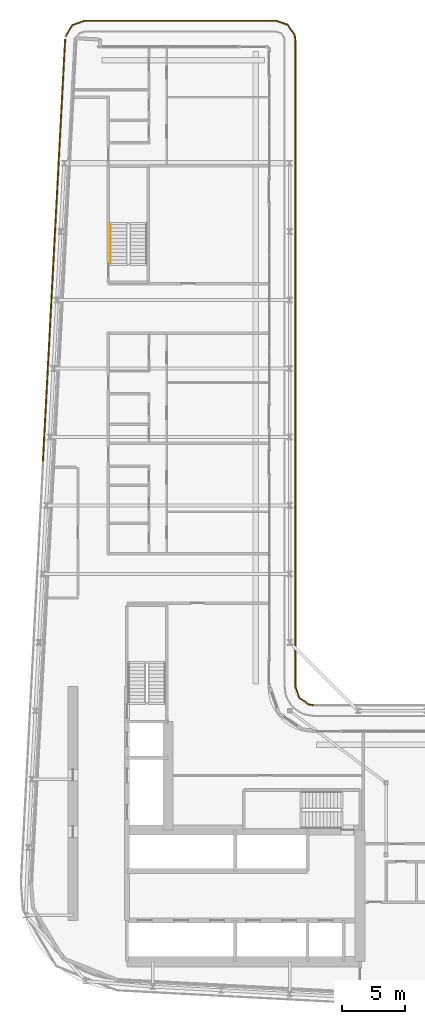
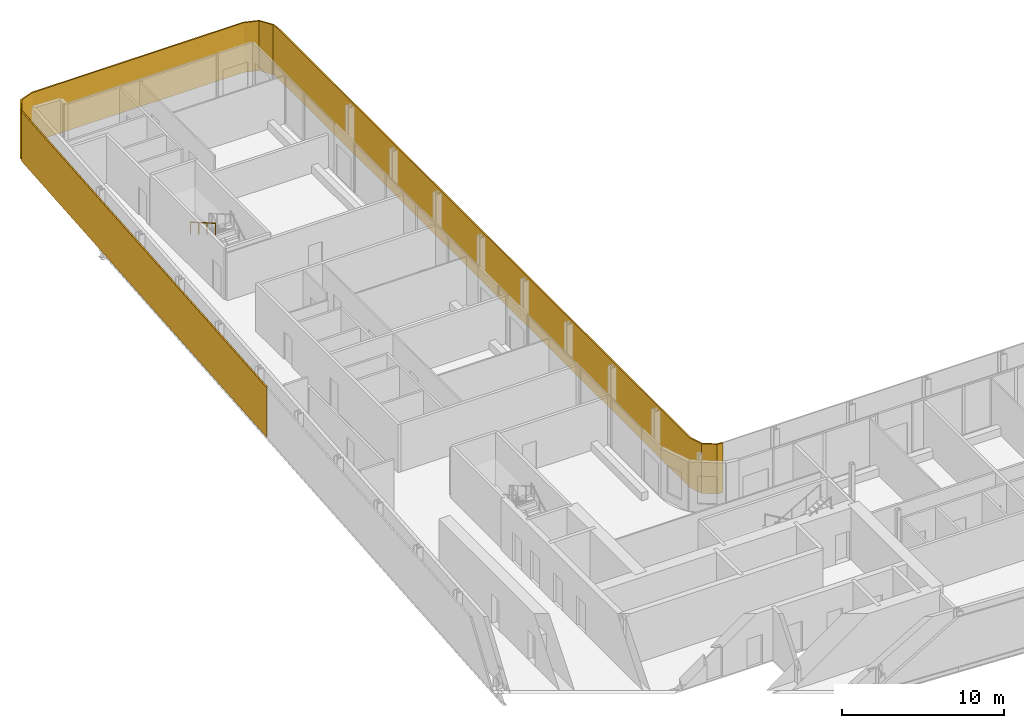
# One storey, part 24 of 26: 2 shading devices, 1 railing.
"""IFC4 building model written with IfcOpenShell, lengths in metres."""

from ifc_helpers import new_model, si_unit, direction, frame, origin, origin_2d, place, context, subcontext, project, spatial, polyline, rectangle, circle, outline, extrude, material, layer, layer_set, type_object, element, save


model = new_model("IFC4")

# Units and contexts
model_context = context("Model", 3, precision=1e-05, world=origin(), true_north=direction((0.0, 1.0)))
body_context = subcontext(model_context, "Body", "Model", "MODEL_VIEW")
ifc_project = project(units=[si_unit("LENGTHUNIT", "METRE"), si_unit("AREAUNIT", "SQUARE_METRE"), si_unit("VOLUMEUNIT", "CUBIC_METRE"), si_unit("PLANEANGLEUNIT", "RADIAN"), si_unit("MASSUNIT", "GRAM", prefix="KILO")], contexts=[model_context])

# Site, building, storey
site_placement = place(None, origin())
site = spatial("IfcSite", under=ifc_project, at=site_placement, CompositionType="ELEMENT")
building_placement = place(site_placement, origin())
building = spatial("IfcBuilding", under=site, at=building_placement, Name="Kheshtan School and Residences Tower", CompositionType="ELEMENT")
storey_placement = place(building_placement, frame((0.0, 0.0, 156.5)))
storey = spatial("IfcBuildingStorey", under=building, at=storey_placement, Name="L36", CompositionType="ELEMENT", Elevation=156.5)

# Shading devices
ifc_material_1 = material(Name="Terracotta baguette, extruded ceramic", Category="masonry")
ifc_layer_1 = layer(ifc_material_1, 0.10009765625)
ifc_layer_set_1 = layer_set([ifc_layer_1], Name="Ledge screen, terracotta baguettes")
shading_device_type_1 = type_object("IfcShadingDeviceType", Name="Ledge screen, terracotta baguettes", PredefinedType="USERDEFINED", material=ifc_layer_set_1)
shading_device_1_placement = place(storey_placement, frame((28.9990234375, 81.93408203125, 0.0), z_axis=(0.0, 0.0, 1.0), x_axis=(0.052562536748, 0.998617634398, 0.0)))
element("IfcShadingDevice", 1, at=shading_device_1_placement, inside=storey, type_object=shading_device_type_1, Name="Screen L36 5", ObjectType="BAGUETTE", PredefinedType="USERDEFINED", context=body_context, shape_type="SweptSolid", body=[
    extrude(rectangle(XDim=33.341064453125, YDim=0.10009765625, at=origin_2d()), origin(), (0.0, 0.0, 1.0), 3.75),
])
ifc_material_2 = material(Name="Terracotta lattice, extruded ceramic", Category="masonry")
ifc_layer_2 = layer(ifc_material_2, 0.10009765625)
ifc_layer_set_2 = layer_set([ifc_layer_2], Name="Loggia screen, terracotta lattice")
shading_device_type_2 = type_object("IfcShadingDeviceType", Name="Loggia screen, terracotta lattice", PredefinedType="USERDEFINED", material=ifc_layer_set_2)
shading_device_2_placement = place(storey_placement, origin())
element("IfcShadingDevice", 2, at=shading_device_2_placement, inside=storey, type_object=shading_device_type_2, Name="Screen L36 1", ObjectType="SCREEN", PredefinedType="USERDEFINED", context=body_context, shape_type="SweptSolid", body=[
    extrude(outline(polyline([(29.949951171875, 98.783935546875), (30.468017578125, 99.656982421875), (31.423095703125, 100.0), (46.5, 100.0), (47.4130859375, 99.68994140625), (47.948974609375, 98.887939453125), (48.0, 98.5), (48.0, 47.5), (48.31005859375, 46.5869140625), (49.112060546875, 46.051025390625), (49.5, 46.0), (49.512939453125, 46.09912109375), (49.14794921875, 46.14697265625), (48.39404296875, 46.65087890625), (48.10009765625, 47.51708984375), (48.10009765625, 98.507080078125), (48.044921875, 98.924072265625), (47.47705078125, 99.77392578125), (46.51708984375, 100.10009765625), (31.406005859375, 100.10009765625), (30.39990234375, 99.739013671875), (29.864013671875, 98.8349609375), (29.949951171875, 98.783935546875)])), origin(), (0.0, 0.0, 1.0), 3.75),
])

# Railing
ifc_material_3 = material(Name="Stainless steel handrail", Category="steel")
railing_type = type_object("IfcRailingType", Name="Stair handrail 900", PredefinedType="HANDRAIL", material=ifc_material_3)
railing_placement = place(storey_placement, frame((33.449951171875, 83.97998046875, 2.112548828125)))
element("IfcRailing", 3, at=railing_placement, inside=storey, type_object=railing_type, Name="L36 ST3 stair handrail 2", PredefinedType="HANDRAIL", context=body_context, shape_type="SweptSolid", body=[
    extrude(circle(Radius=0.02392578125, at=origin_2d()), frame((0.0, 0.0, 0.8759765625), z_axis=(0.0, -0.864920483161, 0.501908913857), x_axis=(1.0, 0.0, 0.0)), (0.0, 0.0, 1.0), 3.56103515625),
    extrude(circle(Radius=0.02099609375, at=origin_2d()), origin(), (0.0, 0.0, 1.0), 0.851806640625),
    extrude(circle(Radius=0.02099609375, at=origin_2d()), frame((0.0, -1.026611328125, 0.595703125)), (0.0, 0.0, 1.0), 0.851806640625),
    extrude(circle(Radius=0.02099609375, at=origin_2d()), frame((0.0, -2.053466796875, 1.191650390625)), (0.0, 0.0, 1.0), 0.851806640625),
    extrude(circle(Radius=0.02099609375, at=origin_2d()), frame((0.0, -3.080078125, 1.787353515625)), (0.0, 0.0, 1.0), 0.851806640625),
])

save(model, "model.ifc")
